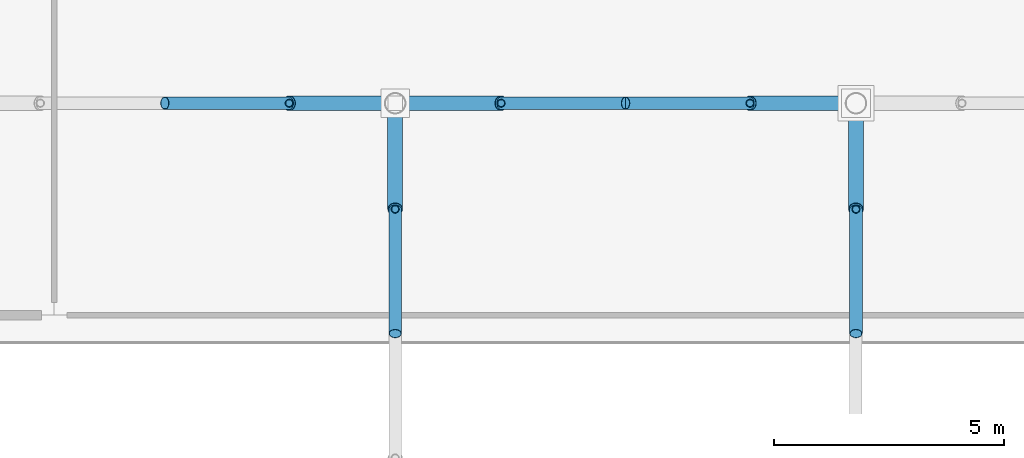
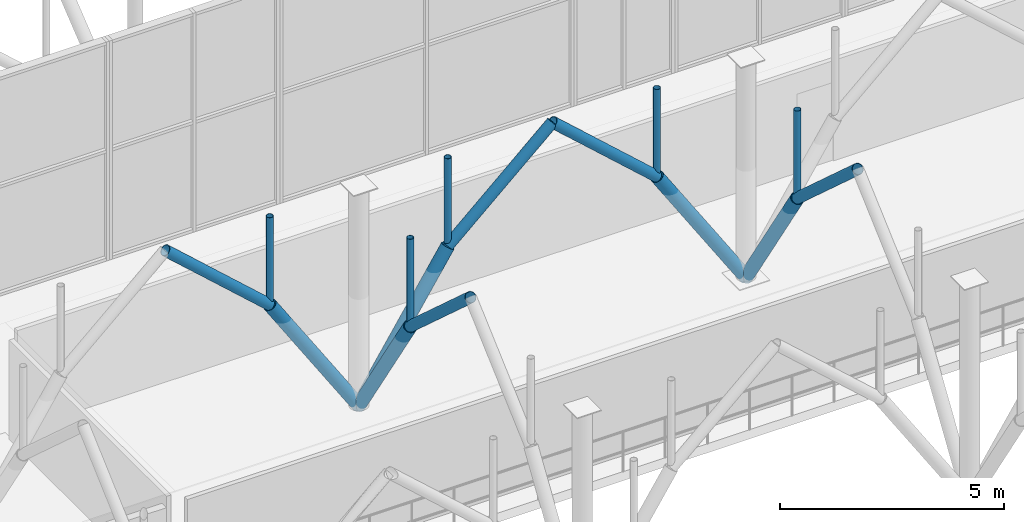
# One storey, part 60 of 109: 15 members.
"""IFC4 building model written with IfcOpenShell, lengths in metres."""

from ifc_helpers import new_model, si_unit, derived_unit, direction, frame, origin, origin_2d_with_axis, place, context, subcontext, project, spatial, hollow_circle, extrude, material, material_profile, profile_set, type_object, element, save


model = new_model("IFC4")

# Units and contexts
model_context = context("Model", 3, precision=1e-05, world=origin(), true_north=direction((0.0, 1.0)))
body_context = subcontext(model_context, "Body", "Model", "MODEL_VIEW")
ifc_project = project(units=[si_unit("LENGTHUNIT", "METRE"), si_unit("AREAUNIT", "SQUARE_METRE"), si_unit("VOLUMEUNIT", "CUBIC_METRE"), si_unit("PLANEANGLEUNIT", "RADIAN"), si_unit("MASSUNIT", "GRAM", prefix="KILO"), derived_unit("THERMALTRANSMITTANCEUNIT", [(si_unit("POWERUNIT", "WATT"), 1), (si_unit("LENGTHUNIT", "METRE"), -2), (si_unit("THERMODYNAMICTEMPERATUREUNIT", "KELVIN"), -1)])], contexts=[model_context])

# Site, building, storey
site_placement = place(None, origin())
site = spatial("IfcSite", under=ifc_project, at=site_placement, CompositionType="ELEMENT")
building_placement = place(site_placement, origin())
building = spatial("IfcBuilding", under=site, at=building_placement, Name="Cinnabar Yard Market Hall", CompositionType="ELEMENT")
storey_placement = place(building_placement, frame((0.0, 0.0, 8.39990234375)))
storey = spatial("IfcBuildingStorey", under=building, at=storey_placement, Name="L02", CompositionType="ELEMENT", Elevation=8.39990234375)

# Members
ifc_material_1 = material(Name="Spotted-gum glulam-clad steel Grade 350 (350 MPa)", Category="steel")
ifc_material_profile_1 = material_profile(ifc_material_1, hollow_circle(Radius=0.136474609375, WallThickness=0.00927734375, at=origin_2d_with_axis()), Name="273.1x9.3CHS")
ifc_profile_set_1 = profile_set([ifc_material_profile_1], Name="Spotted-gum glulam-clad steel Grade 350 (350 MPa)")
member_type_1 = type_object("IfcMemberType", Name="MB-AR01", PredefinedType="USERDEFINED", material=ifc_profile_set_1)
for number, where, z_axis, x_axis, name in (
    (1, (118.300048828125, 64.0, 3.550048828125), (0.743297488271, 0.0, 0.668961018244), (0.0, 1.0, 0.0), "Pointed Arch Rib 0079"),
    (2, (113.699951171875, 64.0, 3.550048828125), (-0.743297488271, 0.0, 0.668961018244), (0.0, -1.0, 0.0), "Pointed Arch Rib 0080"),
    (3, (116.0, 61.699951171875, 3.550048828125), (0.0, -0.743297488271, 0.668961018244), (1.0, 0.0, 0.0), "Pointed Arch Rib 0081"),
    (4, (123.699951171875, 64.0, 3.550048828125), (-0.743297488271, 0.0, 0.668961018244), (0.0, -1.0, 0.0), "Pointed Arch Rib 0098"),
    (5, (126.0, 61.699951171875, 3.550048828125), (0.0, -0.743297488271, 0.668961018244), (1.0, 0.0, 0.0), "Pointed Arch Rib 0099"),
):
    element("IfcMember", number, at=place(storey_placement, frame(where, z_axis=z_axis, x_axis=x_axis)), inside=storey, type_object=member_type_1, Name=name, ObjectType="ARCH RIB", PredefinedType="USERDEFINED", context=body_context, shape_type="SweptSolid", body=[
        extrude(hollow_circle(Radius=0.136474609375, WallThickness=0.00927734375, at=origin_2d_with_axis()), origin(), (0.0, 0.0, 1.0), 3.63232421875),
    ])
ifc_material_profile_2 = material_profile(ifc_material_1, hollow_circle(Radius=0.161865234375, WallThickness=0.009521484375, at=origin_2d_with_axis()), Name="323.9x9.5CHS")
ifc_profile_set_2 = profile_set([ifc_material_profile_2], Name="Spotted-gum glulam-clad steel Grade 350 (350 MPa)")
member_type_2 = type_object("IfcMemberType", Name="MB-ST01", PredefinedType="STRUT", material=ifc_profile_set_2)
for number, where, z_axis, x_axis, name in (
    (6, (116.0, 64.0, 0.0), (0.543744165176, 0.0, 0.839251024925), (0.0, 1.0, 0.0), "Curved Branch Arm Lower 0079"),
    (7, (116.0, 64.0, 0.0), (-0.543744165176, 0.0, 0.839251024925), (0.0, -1.0, 0.0), "Curved Branch Arm Lower 0080"),
    (8, (116.0, 64.0, 0.0), (0.0, -0.543744165176, 0.839251024925), (1.0, 0.0, 0.0), "Curved Branch Arm Lower 0081"),
    (9, (126.0, 64.0, 0.0), (-0.543744165176, 0.0, 0.839251024925), (0.0, -1.0, 0.0), "Curved Branch Arm Lower 0098"),
    (10, (126.0, 64.0, 0.0), (0.0, -0.543744165176, 0.839251024925), (1.0, 0.0, 0.0), "Curved Branch Arm Lower 0099"),
):
    element("IfcMember", number, at=place(storey_placement, frame(where, z_axis=z_axis, x_axis=x_axis)), inside=storey, type_object=member_type_2, Name=name, PredefinedType="STRUT", context=body_context, shape_type="SweptSolid", body=[
        extrude(hollow_circle(Radius=0.161865234375, WallThickness=0.009521484375, at=origin_2d_with_axis()), origin(), (0.0, 0.0, 1.0), 4.22998046875),
    ])
ifc_material_2 = material(Name="Cold-formed steel C350L0", Category="steel")
ifc_material_profile_3 = material_profile(ifc_material_2, hollow_circle(Radius=0.084228515625, WallThickness=0.00634765625, at=origin_2d_with_axis()), Name="168.3x6.4CHS")
ifc_profile_set_3 = profile_set([ifc_material_profile_3], Name="Cold-formed steel C350L0")
member_type_3 = type_object("IfcMemberType", Name="MB-WB01", PredefinedType="STRUT", material=ifc_profile_set_3)
for number, where, z_axis, x_axis, name in (
    (11, (118.300048828125, 64.0, 3.550048828125), (0.0, 0.0, 1.0), (1.0, 0.0, 0.0), "Arch Spandrel Post 0079"),
    (12, (113.699951171875, 64.0, 3.550048828125), (0.0, 0.0, 1.0), (1.0, 0.0, 0.0), "Arch Spandrel Post 0080"),
    (13, (116.0, 61.699951171875, 3.550048828125), (0.0, 0.0, 1.0), (1.0, 0.0, 0.0), "Arch Spandrel Post 0081"),
    (14, (123.699951171875, 64.0, 3.550048828125), (0.0, 0.0, 1.0), (1.0, 0.0, 0.0), "Arch Spandrel Post 0098"),
    (15, (126.0, 61.699951171875, 3.550048828125), (0.0, 0.0, 1.0), (1.0, 0.0, 0.0), "Arch Spandrel Post 0099"),
):
    element("IfcMember", number, at=place(storey_placement, frame(where, z_axis=z_axis, x_axis=x_axis)), inside=storey, type_object=member_type_3, Name=name, PredefinedType="STRUT", context=body_context, shape_type="SweptSolid", body=[
        extrude(hollow_circle(Radius=0.084228515625, WallThickness=0.00634765625, at=origin_2d_with_axis()), origin(), (0.0, 0.0, 1.0), 2.429931640625),
    ])

save(model, "model.ifc")
